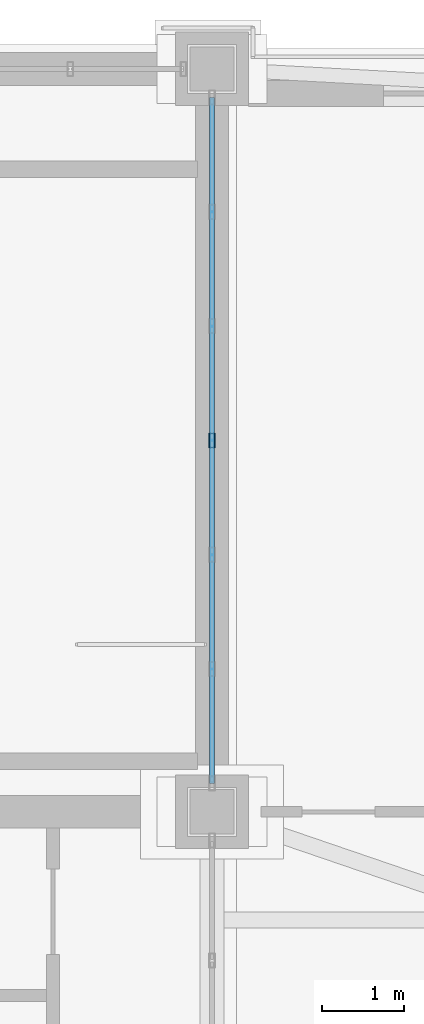
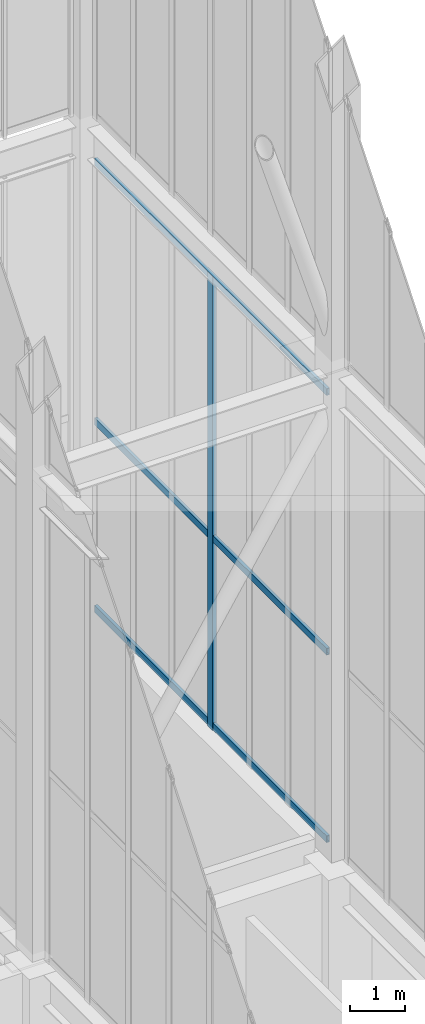
# One storey, part 99 of 135: 4 members, 1 element without a shape of its own.
"""IFC4 building model written with IfcOpenShell, lengths in metres."""

from ifc_helpers import new_model, si_unit, direction, frame, origin, origin_2d, place, context, subcontext, project, spatial, hollow_rectangle, extrude, source, transform, mapped, material, layer, layer_set, material_profile, profile_set, type_object, element, aggregate, save


model = new_model("IFC4")

# Units and contexts
model_context = context("Model", 3, precision=1e-05, world=origin(), true_north=direction((0.0, 1.0)))
body_context = subcontext(model_context, "Body", "Model", "MODEL_VIEW")
ifc_project = project(units=[si_unit("LENGTHUNIT", "METRE"), si_unit("AREAUNIT", "SQUARE_METRE"), si_unit("VOLUMEUNIT", "CUBIC_METRE"), si_unit("PLANEANGLEUNIT", "RADIAN"), si_unit("MASSUNIT", "GRAM", prefix="KILO")], contexts=[model_context])

# Site, building, storey
site_placement = place(None, origin())
site = spatial("IfcSite", under=ifc_project, at=site_placement, CompositionType="ELEMENT")
building_placement = place(site_placement, origin())
building = spatial("IfcBuilding", under=site, at=building_placement, Name="Giltprow Tower", CompositionType="ELEMENT")
storey_placement = place(building_placement, frame((0.0, 0.0, 352.699951171875)))
storey = spatial("IfcBuildingStorey", under=building, at=storey_placement, Name="L92", CompositionType="ELEMENT", Elevation=352.699951171875)

# Curtain wall, members
ifc_material = material(Name="Anodized bronze", Category="metal")
ifc_layer = layer(ifc_material, 0.179931640625, Name="Anodized bronze")
ifc_layer_set = layer_set([ifc_layer], Name="Anodized bronze")
curtain_wall_type = type_object("IfcCurtainWallType", Name="CW-CROWN-LANTERN", PredefinedType="NOTDEFINED", material=ifc_layer_set)
curtain_wall_placement = place(storey_placement, origin())
curtain_wall = element("IfcCurtainWall", 1, at=curtain_wall_placement, inside=storey, type_object=curtain_wall_type, Name="Crown East Lower Lantern Glazing 3", PredefinedType="NOTDEFINED")
ifc_material_profile_1 = material_profile(ifc_material, hollow_rectangle(XDim=0.074951171875, YDim=0.179931640625, WallThickness=0.008056640625, at=origin_2d()), Name="RHS 180x75x8")
ifc_profile_set_1 = profile_set([ifc_material_profile_1], Name="Anodized bronze")
member_type_1 = type_object("IfcMemberType", Name="CW-MULLION-180x75", PredefinedType="MULLION", material=ifc_profile_set_1)
shared_shape_1 = source(origin(), body_context, "Body", "SweptSolid", [
    extrude(hollow_rectangle(XDim=0.074951171875, YDim=0.179931640625, WallThickness=0.008056640625, at=origin_2d()), origin(), (0.0, 0.0, 1.0), 10.030029296875),
])
member_1_placement = place(storey_placement, frame((50.550048828125, 42.0, 6.35009765625), z_axis=(0.0, 0.0, 1.0), x_axis=(1.0, 0.0, 0.0)))
member_1 = element("IfcMember", 2, at=member_1_placement, type_object=member_type_1, Name="Crown East Lower Lantern Glazing 3 Mullion 4", PredefinedType="MULLION", context=body_context, shape_type="MappedRepresentation", body=[
    mapped(shared_shape_1, transform((0.0, 0.0, 0.0), x_axis=(1.0, 0.0, 0.0), y_axis=(0.0, 1.0, 0.0), z_axis=(0.0, 0.0, 1.0), scale=1.0)),
])
ifc_material_profile_2 = material_profile(ifc_material, hollow_rectangle(XDim=0.06494140625, YDim=0.14990234375, WallThickness=0.006103515625, at=origin_2d()), Name="RHS 150x65x6")
ifc_profile_set_2 = profile_set([ifc_material_profile_2], Name="Anodized bronze")
member_type_2 = type_object("IfcMemberType", Name="CW-TRANSOM-150x65", PredefinedType="USERDEFINED", material=ifc_profile_set_2)
shared_shape_2 = source(origin(), body_context, "Body", "SweptSolid", [
    extrude(hollow_rectangle(XDim=0.06494140625, YDim=0.14990234375, WallThickness=0.006103515625, at=origin_2d()), origin(), (0.0, 0.0, 1.0), 8.39990234375),
])
member_2_placement = place(storey_placement, frame((50.550048828125, 37.800048828125, 6.43994140625), z_axis=(0.0, 1.0, 0.0), x_axis=(-1.0, 0.0, 0.0)))
member_2 = element("IfcMember", 3, at=member_2_placement, type_object=member_type_2, Name="Crown East Lower Lantern Glazing 3 Transom 1", ObjectType="TRANSOM", PredefinedType="USERDEFINED", context=body_context, shape_type="MappedRepresentation", body=[
    mapped(shared_shape_2, transform((0.0, 0.0, 0.0), x_axis=(1.0, 0.0, 0.0), y_axis=(0.0, 1.0, 0.0), z_axis=(0.0, 0.0, 1.0), scale=1.0)),
])
member_3_placement = place(storey_placement, frame((50.550048828125, 37.800048828125, 10.5791015625), z_axis=(0.0, 1.0, 0.0), x_axis=(-1.0, 0.0, 0.0)))
member_3 = element("IfcMember", 4, at=member_3_placement, type_object=member_type_2, Name="Crown East Lower Lantern Glazing 3 Transom 2", ObjectType="TRANSOM", PredefinedType="USERDEFINED", context=body_context, shape_type="MappedRepresentation", body=[
    mapped(shared_shape_2, transform((0.0, 0.0, 0.0), x_axis=(1.0, 0.0, 0.0), y_axis=(0.0, 1.0, 0.0), z_axis=(0.0, 0.0, 1.0), scale=1.0)),
])
member_4_placement = place(storey_placement, frame((50.550048828125, 37.800048828125, 16.31005859375), z_axis=(0.0, 1.0, 0.0), x_axis=(-1.0, 0.0, 0.0)))
member_4 = element("IfcMember", 5, at=member_4_placement, type_object=member_type_2, Name="Crown East Lower Lantern Glazing 3 Transom 3", ObjectType="TRANSOM", PredefinedType="USERDEFINED", context=body_context, shape_type="MappedRepresentation", body=[
    mapped(shared_shape_2, transform((0.0, 0.0, 0.0), x_axis=(1.0, 0.0, 0.0), y_axis=(0.0, 1.0, 0.0), z_axis=(0.0, 0.0, 1.0), scale=1.0)),
])
aggregate(curtain_wall, [member_1, member_2, member_3, member_4])

save(model, "model.ifc")
